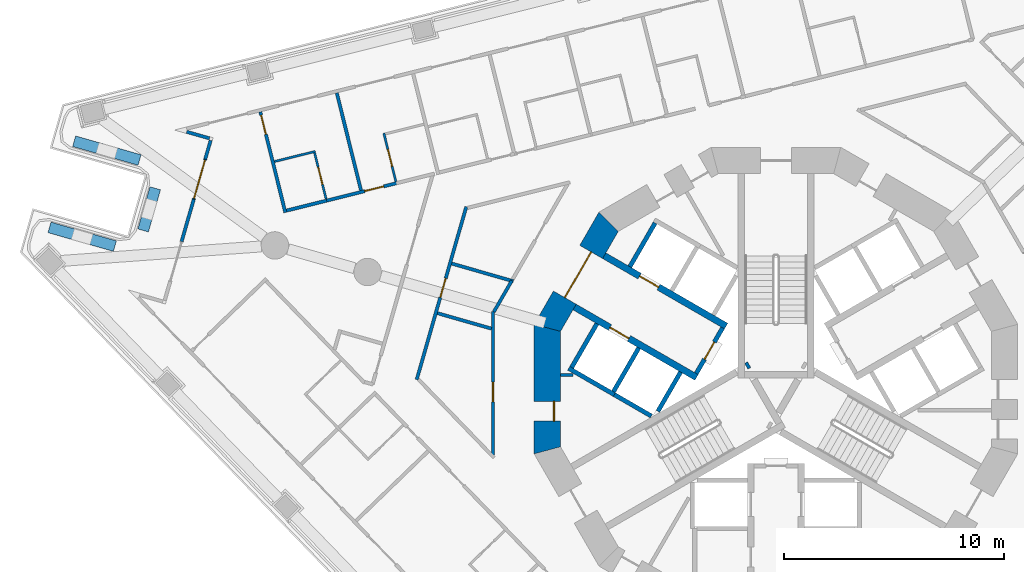
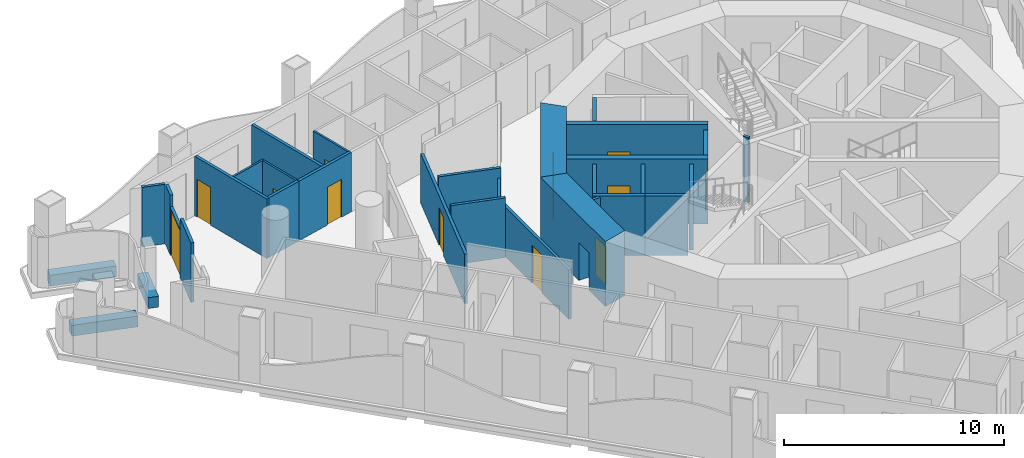
# One storey, part 7 of 20: 32 walls, 12 doors, 12 openings.
"""IFC4 building model written with IfcOpenShell, lengths in metres."""

from ifc_helpers import new_model, si_unit, direction, frame, frame_2d, origin, place, context, subcontext, project, spatial, polyline, rectangle, outline, extrude, material, layer, layer_set, type_object, element, fill, save


model = new_model("IFC4")

# Units and contexts
model_context = context("Model", 3, precision=1e-05, world=origin(), true_north=direction((0.0, 1.0)))
body_context = subcontext(model_context, "Body", "Model", "MODEL_VIEW")
ifc_project = project(units=[si_unit("LENGTHUNIT", "METRE"), si_unit("AREAUNIT", "SQUARE_METRE"), si_unit("VOLUMEUNIT", "CUBIC_METRE"), si_unit("PLANEANGLEUNIT", "RADIAN"), si_unit("MASSUNIT", "GRAM", prefix="KILO")], contexts=[model_context])

# Site, building, storey
site_placement = place(None, origin())
site = spatial("IfcSite", under=ifc_project, at=site_placement, CompositionType="ELEMENT")
building_placement = place(site_placement, origin())
building = spatial("IfcBuilding", under=site, at=building_placement, Name="Trine Commons Tower", CompositionType="ELEMENT")
storey_placement = place(building_placement, frame((0.0, 0.0, 112.5)))
storey = spatial("IfcBuildingStorey", under=building, at=storey_placement, Name="L28", CompositionType="ELEMENT", Elevation=112.5)

# Walls
ifc_material_1 = material(Name="Plasterboard partition on steel studs", Category="steel")
ifc_layer_1 = layer(ifc_material_1, 0.14990234375)
ifc_layer_set_1 = layer_set([ifc_layer_1], Name="Plasterboard partition on steel studs")
wall_type_1 = type_object("IfcWallType", Name="Core room partition 150 mm, EI 60", PredefinedType="PARTITIONING", material=ifc_layer_set_1)
wall_1_placement = place(storey_placement, frame((70.18798828125, 63.14208984375, 0.0), z_axis=(0.0, 0.0, 1.0), x_axis=(1.0, 0.0, 0.0)))
element("IfcWall", 1, at=wall_1_placement, inside=storey, type_object=wall_type_1, Name="Core room partition L28", PredefinedType="PARTITIONING", context=body_context, shape_type="SweptSolid", body=[
    extrude(rectangle(XDim=0.571044921875, YDim=0.14990234375, at=frame_2d((0.28564453125, 0.0))), origin(), (0.0, 0.0, 1.0), 3.300048828125),
])
ifc_material_2 = material(Name="Aluminium-framed insulated wall panel", Category="aluminium")
ifc_layer_2 = layer(ifc_material_2, 0.14990234375)
ifc_layer_set_2 = layer_set([ifc_layer_2], Name="Aluminium-framed insulated wall panel")
wall_type_2 = type_object("IfcWallType", Name="Glazed frame wall 150, EI 60", PredefinedType="SOLIDWALL", material=ifc_layer_set_2)
wall_2_placement = place(storey_placement, frame((52.931396484375, 69.221435546875, 0.0), z_axis=(0.0, 0.0, 1.0), x_axis=(0.275511032617, 0.961297909551, 0.0)))
element("IfcWall", 2, at=wall_2_placement, inside=storey, type_object=wall_type_2, Name="Glazed frame wall P1.3", PredefinedType="SOLIDWALL", context=body_context, shape_type="SweptSolid", body=[
    extrude(outline(polyline([(0.0, -0.074951171875), (2.0, -0.074951171875), (2.0, 0.074951171875), (0.0, 0.074951171875), (0.0, -0.074951171875)])), origin(), (0.0, 0.0, 1.0), 3.300048828125),
])

# Wall, opening, door
wall_3_placement = place(storey_placement, frame((53.482421875, 71.14404296875, 0.0), z_axis=(0.0, 0.0, 1.0), x_axis=(0.275739195228, 0.961232488119, 0.0)))
wall_3 = element("IfcWall", 3, at=wall_3_placement, inside=storey, type_object=wall_type_2, Name="Glazed frame wall P1.4", PredefinedType="SOLIDWALL", context=body_context, shape_type="SweptSolid", body=[
    extrude(outline(polyline([(0.0, -0.074951171875), (1.89990234375, -0.074951171875), (1.89990234375, 0.074951171875), (0.0, 0.074951171875), (0.0, -0.074951171875)])), origin(), (0.0, 0.0, 1.0), 2.64990234375),
])
opening_1_placement = place(wall_3_placement, frame((0.050048828125, 0.0, 0.0)))
opening_1 = element("IfcOpeningElement", 4, at=opening_1_placement, cuts=wall_3, Name="Opening BD-3P1-02", PredefinedType="OPENING", context=body_context, shape_type="SweptSolid", body=[
    extrude(rectangle(XDim=1.800048828125, YDim=2.60009765625, at=frame_2d((0.89990234375, 1.300048828125))), frame((0.0, 0.0849609375, 0.0), z_axis=(0.0, -1.0, 0.0), x_axis=(1.0, 0.0, 0.0)), (0.0, 0.0, 1.0), 0.169921875),
])
ifc_material_3 = material(Name="Anodised aluminium frame with double glazing", Category="aluminium")
door_type_1 = type_object("IfcDoorType", Name="Sliding loggia door 1800x2600", OperationType="SLIDING_TO_LEFT", PredefinedType="DOOR", material=ifc_material_3)
door_1_placement = place(opening_1_placement, origin())
door_1 = element("IfcDoor", 5, at=door_1_placement, inside=storey, type_object=door_type_1, Name="Loggia door P1 2", OperationType="SLIDING_TO_LEFT", OverallHeight=2.60009765625, OverallWidth=1.800048828125, PredefinedType="DOOR", context=body_context, shape_type="SweptSolid", body=[
    extrude(rectangle(XDim=1.800048828125, YDim=2.60009765625, at=frame_2d((0.89990234375, 1.300048828125))), frame((0.0, 0.02490234375, 0.0), z_axis=(0.0, -1.0, 0.0), x_axis=(1.0, 0.0, 0.0)), (0.0, 0.0, 1.0), 0.050048828125),
])
fill(opening_1, door_1)

# Walls
wall_4_placement = place(storey_placement, frame((54.00634765625, 72.970458984375, 0.0), z_axis=(0.0, 0.0, 1.0), x_axis=(0.275656175253, 0.961256299353, 0.0)))
element("IfcWall", 6, at=wall_4_placement, inside=storey, type_object=wall_type_2, Name="Glazed frame wall P1.5", PredefinedType="SOLIDWALL", context=body_context, shape_type="SweptSolid", body=[
    extrude(outline(polyline([(0.889892578125, 0.074951171875), (0.0, 0.074951171875), (0.0, -0.074951171875), (0.889892578125, -0.074951171875), (0.889892578125, 0.074951171875)])), origin(), (0.0, 0.0, 1.0), 3.300048828125),
])
wall_5_placement = place(storey_placement, frame((54.305908203125, 73.888427734375, 0.0), z_axis=(0.0, 0.0, 1.0), x_axis=(-0.961242628544, 0.275703843044, 0.0)))
element("IfcWall", 7, at=wall_5_placement, inside=storey, type_object=wall_type_2, Name="Glazed frame wall R3", PredefinedType="SOLIDWALL", context=body_context, shape_type="SweptSolid", body=[
    extrude(outline(polyline([(0.110107421875, 0.074951171875), (0.110107421875, -0.074951171875), (1.19580078125, -0.074951171875), (1.19580078125, 0.074951171875), (0.110107421875, 0.074951171875)])), origin(), (0.0, 0.0, 1.0), 3.300048828125),
])

# Wall, opening, door
ifc_material_4 = material(Name="Fire-rated gypsum shaft wall system")
ifc_layer_3 = layer(ifc_material_4, 0.199951171875)
ifc_layer_set_3 = layer_set([ifc_layer_3], Name="Fire-rated gypsum shaft wall system")
wall_type_3 = type_object("IfcWallType", Name="Lobby end wall 200 mm, EI 120", PredefinedType="PARTITIONING", material=ifc_layer_set_3)
wall_6_placement = place(storey_placement, frame((77.569091796875, 65.2890625, 0.0), z_axis=(0.0, 0.0, 1.0), x_axis=(-0.50012165622, -0.865955154139, 0.0)))
wall_6 = element("IfcWall", 8, at=wall_6_placement, inside=storey, type_object=wall_type_3, Name="Lobby end wall L28", PredefinedType="PARTITIONING", context=body_context, shape_type="SweptSolid", body=[
    extrude(rectangle(XDim=2.39990234375, YDim=0.199951171875, at=frame_2d((1.199951171875, 0.0))), origin(), (0.0, 0.0, 1.0), 3.300048828125),
])
opening_2_placement = place(wall_6_placement, frame((0.749755859375, 0.0, 0.0)))
opening_2 = element("IfcOpeningElement", 9, at=opening_2_placement, cuts=wall_6, Name="Opening K07.07", PredefinedType="OPENING", context=body_context, shape_type="SweptSolid", body=[
    extrude(rectangle(XDim=0.89990234375, YDim=2.10009765625, at=frame_2d((0.449951171875, 1.050048828125))), frame((0.0, 0.10986328125, 0.0), z_axis=(0.0, -1.0, 0.0), x_axis=(1.0, 0.0, 0.0)), (0.0, 0.0, 1.0), 0.219970703125),
])
ifc_material_5 = material(Name="Steel door leaf, fire-rated", Category="steel")
door_type_2 = type_object("IfcDoorType", Name="Riser access door, single leaf 900 x 2100, FD60", OperationType="SINGLE_SWING_LEFT", PredefinedType="DOOR", material=ifc_material_5)
door_2_placement = place(opening_2_placement, frame((0.89990234375, 0.0, 0.0), z_axis=(0.0, 0.0, 1.0), x_axis=(-1.0, 0.0, 0.0)))
door_2 = element("IfcDoor", 10, at=door_2_placement, inside=storey, type_object=door_type_2, Name="Riser door, Mechanical riser L28", OperationType="SINGLE_SWING_RIGHT", OverallHeight=2.10009765625, OverallWidth=0.89990234375, PredefinedType="DOOR", context=body_context, shape_type="SweptSolid", body=[
    extrude(rectangle(XDim=0.89990234375, YDim=2.10009765625, at=frame_2d((0.449951171875, 1.050048828125))), frame((0.0, 0.02490234375, 0.0), z_axis=(0.0, -1.0, 0.0), x_axis=(1.0, 0.0, 0.0)), (0.0, 0.0, 1.0), 0.050048828125),
])
fill(opening_2, door_2)

# Walls
ifc_material_6 = material(Name="Planter trough, precast concrete C40/50", Category="concrete")
ifc_layer_4 = layer(ifc_material_6, 0.5)
ifc_layer_set_4 = layer_set([ifc_layer_4], Name="Planter trough, precast concrete C40/50")
wall_type_4 = type_object("IfcWallType", Name="Planter trough 500x600", PredefinedType="PARAPET", material=ifc_layer_set_4)
wall_7_placement = place(storey_placement, frame((46.91064453125, 69.865966796875, 0.0), z_axis=(0.0, 0.0, 1.0), x_axis=(0.961261991794, -0.275636324044, 0.0)))
element("IfcWall", 11, at=wall_7_placement, inside=storey, type_object=wall_type_4, Name="Planter 1", PredefinedType="PARAPET", context=body_context, shape_type="SweptSolid", body=[
    extrude(rectangle(XDim=3.10009765625, YDim=0.5, at=frame_2d((1.550048828125, 0.0))), origin(), (0.0, 0.0, 1.0), 0.60009765625),
])
wall_8_placement = place(storey_placement, frame((51.177001953125, 69.724609375, 0.0), z_axis=(0.0, 0.0, 1.0), x_axis=(0.275623830648, 0.961265574115, 0.0)))
element("IfcWall", 12, at=wall_8_placement, inside=storey, type_object=wall_type_4, Name="Planter 2", PredefinedType="PARAPET", context=body_context, shape_type="SweptSolid", body=[
    extrude(rectangle(XDim=2.0, YDim=0.5, at=frame_2d((1.0, 0.0))), origin(), (0.0, 0.0, 1.0), 0.60009765625),
])
wall_9_placement = place(storey_placement, frame((51.01513671875, 72.93359375, 0.0), z_axis=(0.0, 0.0, 1.0), x_axis=(-0.961261991794, 0.275636324044, 0.0)))
element("IfcWall", 13, at=wall_9_placement, inside=storey, type_object=wall_type_4, Name="Planter 3", PredefinedType="PARAPET", context=body_context, shape_type="SweptSolid", body=[
    extrude(rectangle(XDim=3.10009765625, YDim=0.5, at=frame_2d((1.550048828125, 0.0))), origin(), (0.0, 0.0, 1.0), 0.60009765625),
])

# Wall, opening, door
ifc_material_7 = material(Name="Concrete C70/85", Category="concrete")
ifc_layer_5 = layer(ifc_material_7, 1.199951171875)
ifc_layer_set_5 = layer_set([ifc_layer_5], Name="Concrete C70/85")
wall_type_5 = type_object("IfcWallType", Name="RC shear wall 1200 mm, C70/85", PredefinedType="SHEAR", material=ifc_layer_set_5)
wall_10_placement = place(storey_placement, frame((72.45849609375, 70.260986328125, 0.0), z_axis=(0.0, 0.0, 1.0), x_axis=(-0.499979111662, -0.866037463336, 0.0)))
wall_10 = element("IfcWall", 14, at=wall_10_placement, inside=storey, type_object=wall_type_5, Name="Core wall CWC-06 L28", PredefinedType="SHEAR", context=body_context, shape_type="SweptSolid", body=[
    extrude(outline(polyline([(0.0, -0.60009765625), (5.901123046875, -0.60009765625), (5.57958984375, 0.60009765625), (0.321533203125, 0.60009765625), (0.0, -0.60009765625)])), origin(), (0.0, 0.0, 1.0), 3.60009765625),
])
opening_3_placement = place(wall_10_placement, frame((1.75048828125, 0.0, 0.0)))
opening_3 = element("IfcOpeningElement", 15, at=opening_3_placement, cuts=wall_10, Name="Opening K07.06", PredefinedType="OPENING", context=body_context, shape_type="SweptSolid", body=[
    extrude(rectangle(XDim=2.39990234375, YDim=2.10009765625, at=frame_2d((1.199951171875, 1.050048828125))), frame((0.0, 0.60986328125, 0.0), z_axis=(0.0, -1.0, 0.0), x_axis=(1.0, 0.0, 0.0)), (0.0, 0.0, 1.0), 1.219970703125),
])
ifc_material_8 = material(Name="Steel door leaves, fire-rated", Category="steel")
door_type_3 = type_object("IfcDoorType", Name="Lobby door, double leaf 2400 x 2100, FD60", OperationType="DOUBLE_DOOR_SINGLE_SWING", PredefinedType="DOOR", material=ifc_material_8)
door_3_placement = place(opening_3_placement, origin())
door_3 = element("IfcDoor", 16, at=door_3_placement, inside=storey, type_object=door_type_3, Name="Lobby door, Passenger lift lobby B L28", OperationType="DOUBLE_DOOR_SINGLE_SWING", OverallHeight=2.10009765625, OverallWidth=2.39990234375, PredefinedType="DOOR", context=body_context, shape_type="SweptSolid", body=[
    extrude(rectangle(XDim=2.39990234375, YDim=2.10009765625, at=frame_2d((1.199951171875, 1.050048828125))), frame((0.0, 0.02490234375, 0.0), z_axis=(0.0, -1.0, 0.0), x_axis=(1.0, 0.0, 0.0)), (0.0, 0.0, 1.0), 0.050048828125),
])
fill(opening_3, door_3)

wall_11_placement = place(storey_placement, frame((69.58837890625, 65.450439453125, 0.0), z_axis=(0.0, 0.0, 1.0), x_axis=(0.0, -1.0, 0.0)))
wall_11 = element("IfcWall", 17, at=wall_11_placement, inside=storey, type_object=wall_type_5, Name="Core wall CWC-07 L28", PredefinedType="SHEAR", context=body_context, shape_type="SweptSolid", body=[
    extrude(outline(polyline([(0.0, -0.60009765625), (5.90087890625, -0.60009765625), (5.57958984375, 0.60009765625), (0.321533203125, 0.60009765625), (0.0, -0.60009765625)])), origin(), (0.0, 0.0, 1.0), 3.60009765625),
])
opening_4_placement = place(wall_11_placement, frame((3.508544921875, 0.0, 0.0)))
opening_4 = element("IfcOpeningElement", 18, at=opening_4_placement, cuts=wall_11, Name="Opening K07.14", PredefinedType="OPENING", context=body_context, shape_type="SweptSolid", body=[
    extrude(rectangle(XDim=0.89990234375, YDim=2.10009765625, at=frame_2d((0.449951171875, 1.050048828125))), frame((0.0, 0.60986328125, 0.0), z_axis=(0.0, -1.0, 0.0), x_axis=(1.0, 0.0, 0.0)), (0.0, 0.0, 1.0), 1.219970703125),
])
door_type_4 = type_object("IfcDoorType", Name="Core room door, single leaf 900 x 2100, FD30S", OperationType="SINGLE_SWING_LEFT", PredefinedType="DOOR", material=ifc_material_5)
door_4_placement = place(opening_4_placement, origin())
door_4 = element("IfcDoor", 19, at=door_4_placement, inside=storey, type_object=door_type_4, Name="Door to Print room L28", OperationType="SINGLE_SWING_RIGHT", OverallHeight=2.10009765625, OverallWidth=0.89990234375, PredefinedType="DOOR", context=body_context, shape_type="SweptSolid", body=[
    extrude(rectangle(XDim=0.89990234375, YDim=2.10009765625, at=frame_2d((0.449951171875, 1.050048828125))), frame((0.0, 0.3251953125, 0.0), z_axis=(0.0, -1.0, 0.0), x_axis=(1.0, 0.0, 0.0)), (0.0, 0.0, 1.0), 0.050048828125),
])
fill(opening_4, door_4)

ifc_layer_6 = layer(ifc_material_7, 0.300048828125)
ifc_layer_set_6 = layer_set([ifc_layer_6], Name="Concrete C70/85")
wall_type_6 = type_object("IfcWallType", Name="RC shear wall 300 mm, C70/85", PredefinedType="SHEAR", material=ifc_layer_set_6)
wall_12_placement = place(storey_placement, frame((76.381103515625, 63.031005859375, 0.0), z_axis=(0.0, 0.0, 1.0), x_axis=(-0.866032150378, 0.499988314375, 0.0)))
wall_12 = element("IfcWall", 20, at=wall_12_placement, inside=storey, type_object=wall_type_6, Name="Core cross wall SWA-01 L28", PredefinedType="SHEAR", context=body_context, shape_type="SweptSolid", body=[
    extrude(rectangle(XDim=6.412353515625, YDim=0.300048828125, at=frame_2d((3.2060546875, 0.0))), origin(), (0.0, 0.0, 1.0), 3.60009765625),
])
opening_5_placement = place(wall_12_placement, frame((3.55029296875, 0.0, 0.0)))
opening_5 = element("IfcOpeningElement", 21, at=opening_5_placement, cuts=wall_12, Name="Opening LD3", PredefinedType="OPENING", context=body_context, shape_type="SweptSolid", body=[
    extrude(rectangle(XDim=1.0, YDim=2.10009765625, at=frame_2d((0.5, 1.050048828125))), frame((0.0, 0.159912109375, 0.0), z_axis=(0.0, -1.0, 0.0), x_axis=(1.0, 0.0, 0.0)), (0.0, 0.0, 1.0), 0.320068359375),
])
ifc_material_9 = material(Name="Stainless steel sliding door leaves", Category="steel")
door_type_5 = type_object("IfcDoorType", Name="Lift landing door, centre-opening sliding 1000 x 2100, FD90", OperationType="DOUBLE_DOOR_SLIDING", PredefinedType="DOOR", material=ifc_material_9)
door_5_placement = place(opening_5_placement, origin())
door_5 = element("IfcDoor", 22, at=door_5_placement, inside=storey, type_object=door_type_5, Name="Lift landing door LR3 L28", OperationType="DOUBLE_DOOR_SLIDING", OverallHeight=2.10009765625, OverallWidth=1.0, PredefinedType="DOOR", context=body_context, shape_type="SweptSolid", body=[
    extrude(rectangle(XDim=1.0, YDim=2.10009765625, at=frame_2d((0.5, 1.050048828125))), frame((0.0, 0.02490234375, 0.0), z_axis=(0.0, -1.0, 0.0), x_axis=(1.0, 0.0, 0.0)), (0.0, 0.0, 1.0), 0.050048828125),
])
fill(opening_5, door_5)

wall_13_placement = place(storey_placement, frame((77.73095703125, 65.368896484375, 0.0), z_axis=(0.0, 0.0, 1.0), x_axis=(-0.866022631842, 0.500004801114, 0.0)))
wall_13 = element("IfcWall", 23, at=wall_13_placement, inside=storey, type_object=wall_type_6, Name="Core cross wall SWA-02 L28", PredefinedType="SHEAR", context=body_context, shape_type="SweptSolid", body=[
    extrude(rectangle(XDim=6.412109375, YDim=0.300048828125, at=frame_2d((3.2060546875, 0.0))), origin(), (0.0, 0.0, 1.0), 3.60009765625),
])
opening_6_placement = place(wall_13_placement, frame((3.55029296875, 0.0, 0.0)))
opening_6 = element("IfcOpeningElement", 24, at=opening_6_placement, cuts=wall_13, Name="Opening LD4", PredefinedType="OPENING", context=body_context, shape_type="SweptSolid", body=[
    extrude(rectangle(XDim=1.0, YDim=2.10009765625, at=frame_2d((0.5, 1.050048828125))), frame((0.0, 0.159912109375, 0.0), z_axis=(0.0, -1.0, 0.0), x_axis=(1.0, 0.0, 0.0)), (0.0, 0.0, 1.0), 0.320068359375),
])
door_6_placement = place(opening_6_placement, origin())
door_6 = element("IfcDoor", 25, at=door_6_placement, inside=storey, type_object=door_type_5, Name="Lift landing door LR4 L28", OperationType="DOUBLE_DOOR_SLIDING", OverallHeight=2.10009765625, OverallWidth=1.0, PredefinedType="DOOR", context=body_context, shape_type="SweptSolid", body=[
    extrude(rectangle(XDim=1.0, YDim=2.10009765625, at=frame_2d((0.5, 1.050048828125))), frame((0.0, 0.02490234375, 0.0), z_axis=(0.0, -1.0, 0.0), x_axis=(1.0, 0.0, 0.0)), (0.0, 0.0, 1.0), 0.050048828125),
])
fill(opening_6, door_6)

# Walls
wall_14_placement = place(storey_placement, frame((78.779052734375, 63.614013671875, 0.0), z_axis=(0.0, 0.0, 1.0), x_axis=(-0.867737973955, -0.497021939713, 0.0)))
element("IfcWall", 26, at=wall_14_placement, inside=storey, type_object=wall_type_6, Name="Core cross wall SWA-09 L28", PredefinedType="SHEAR", context=body_context, shape_type="SweptSolid", body=[
    extrude(rectangle(XDim=0.14892578125, YDim=0.300048828125, at=frame_2d((0.074462890625, 0.0))), origin(), (0.0, 0.0, 1.0), 3.60009765625),
])
ifc_layer_7 = layer(ifc_material_4, 0.199951171875)
ifc_layer_set_7 = layer_set([ifc_layer_7], Name="Fire-rated gypsum shaft wall system")
wall_type_7 = type_object("IfcWallType", Name="Shaft wall 200 mm, EI 120", PredefinedType="PARTITIONING", material=ifc_layer_set_7)
wall_15_placement = place(storey_placement, frame((71.844970703125, 65.47607421875, 0.0), z_axis=(0.0, 0.0, 1.0), x_axis=(-0.500136062276, -0.86594683394, 0.0)))
element("IfcWall", 27, at=wall_15_placement, inside=storey, type_object=wall_type_7, Name="Shaft wall L28", PredefinedType="PARTITIONING", context=body_context, shape_type="SweptSolid", body=[
    extrude(rectangle(XDim=2.299072265625, YDim=0.199951171875, at=frame_2d((1.1494140625, 0.0))), origin(), (0.0, 0.0, 1.0), 3.300048828125),
])
wall_16_placement = place(storey_placement, frame((72.637939453125, 62.248046875, 0.0), z_axis=(0.0, 0.0, 1.0), x_axis=(-0.866177122335, 0.499737123639, 0.0)))
element("IfcWall", 28, at=wall_16_placement, inside=storey, type_object=wall_type_7, Name="Shaft wall L28", PredefinedType="PARTITIONING", context=body_context, shape_type="SweptSolid", body=[
    extrude(rectangle(XDim=2.401123046875, YDim=0.199951171875, at=frame_2d((1.20068359375, 0.0))), origin(), (0.0, 0.0, 1.0), 3.300048828125),
])
wall_17_placement = place(storey_placement, frame((73.344970703125, 68.073974609375, 0.0), z_axis=(0.0, 0.0, 1.0), x_axis=(0.500215680983, 0.865900844496, 0.0)))
element("IfcWall", 29, at=wall_17_placement, inside=storey, type_object=wall_type_7, Name="Shaft wall L28", PredefinedType="PARTITIONING", context=body_context, shape_type="SweptSolid", body=[
    extrude(rectangle(XDim=2.29931640625, YDim=0.199951171875, at=frame_2d((1.149658203125, 0.0))), origin(), (0.0, 0.0, 1.0), 3.300048828125),
])
wall_18_placement = place(storey_placement, frame((73.7509765625, 64.3759765625, 0.0), z_axis=(0.0, 0.0, 1.0), x_axis=(-0.500136062276, -0.86594683394, 0.0)))
element("IfcWall", 30, at=wall_18_placement, inside=storey, type_object=wall_type_7, Name="Shaft wall L28", PredefinedType="PARTITIONING", context=body_context, shape_type="SweptSolid", body=[
    extrude(rectangle(XDim=2.299072265625, YDim=0.199951171875, at=frame_2d((1.1494140625, 0.0))), origin(), (0.0, 0.0, 1.0), 3.300048828125),
])
wall_19_placement = place(storey_placement, frame((74.324951171875, 61.27294921875, 0.0), z_axis=(0.0, 0.0, 1.0), x_axis=(-0.865780634835, 0.500423712812, 0.0)))
element("IfcWall", 31, at=wall_19_placement, inside=storey, type_object=wall_type_7, Name="Shaft wall L28", PredefinedType="PARTITIONING", context=body_context, shape_type="SweptSolid", body=[
    extrude(rectangle(XDim=1.948486328125, YDim=0.199951171875, at=frame_2d((0.97412109375, 0.0))), origin(), (0.0, 0.0, 1.0), 3.300048828125),
])
wall_20_placement = place(storey_placement, frame((75.656005859375, 63.27587890625, 0.0), z_axis=(0.0, 0.0, 1.0), x_axis=(-0.500271688072, -0.86586848777, 0.0)))
element("IfcWall", 32, at=wall_20_placement, inside=storey, type_object=wall_type_7, Name="Shaft wall L28", PredefinedType="PARTITIONING", context=body_context, shape_type="SweptSolid", body=[
    extrude(rectangle(XDim=2.064697265625, YDim=0.199951171875, at=frame_2d((1.0322265625, 0.0))), origin(), (0.0, 0.0, 1.0), 3.300048828125),
])

# Wall, opening, door
ifc_material_10 = material(Name="Gypsum plasterboard on steel stud", Category="steel")
ifc_layer_8 = layer(ifc_material_10, 0.14990234375)
ifc_layer_set_8 = layer_set([ifc_layer_8], Name="Gypsum plasterboard on steel stud")
wall_type_8 = type_object("IfcWallType", Name="Unit and corridor wall 150 mm, EI 60", PredefinedType="PARTITIONING", material=ifc_layer_set_8)
wall_21_placement = place(storey_placement, frame((56.513671875, 75.122314453125, 0.0), z_axis=(0.0, 0.0, 1.0), x_axis=(0.24185448203, -0.970312531879, 0.0)))
wall_21 = element("IfcWall", 33, at=wall_21_placement, inside=storey, type_object=wall_type_8, Name="Partition 002", PredefinedType="PARTITIONING", context=body_context, shape_type="SweptSolid", body=[
    extrude(rectangle(XDim=4.72314453125, YDim=0.14990234375, at=frame_2d((2.361572265625, 0.0))), origin(), (0.0, 0.0, 1.0), 3.300048828125),
])
opening_7_placement = place(wall_21_placement, frame((0.14990234375, 0.0, 0.0)))
opening_7 = element("IfcOpeningElement", 34, at=opening_7_placement, cuts=wall_21, Name="Opening D-3C07", PredefinedType="OPENING", context=body_context, shape_type="SweptSolid", body=[
    extrude(rectangle(XDim=0.89990234375, YDim=2.10009765625, at=frame_2d((0.449951171875, 1.050048828125))), frame((0.0, 0.0849609375, 0.0), z_axis=(0.0, -1.0, 0.0), x_axis=(1.0, 0.0, 0.0)), (0.0, 0.0, 1.0), 0.169921875),
])
ifc_material_11 = material(Name="Timber fire door set", Category="wood")
door_type_6 = type_object("IfcDoorType", Name="Bedroom door 900 x 2100, FD30S", OperationType="NOTDEFINED", PredefinedType="DOOR", material=ifc_material_11)
door_7_placement = place(opening_7_placement, origin())
door_7 = element("IfcDoor", 35, at=door_7_placement, inside=storey, type_object=door_type_6, Name="Door D-3C07", OperationType="SINGLE_SWING_LEFT", OverallHeight=2.10009765625, OverallWidth=0.89990234375, PredefinedType="DOOR", context=body_context, shape_type="SweptSolid", body=[
    extrude(rectangle(XDim=0.89990234375, YDim=2.10009765625, at=frame_2d((0.449951171875, 1.050048828125))), frame((0.0, 0.02490234375, 0.0), z_axis=(0.0, -1.0, 0.0), x_axis=(1.0, 0.0, 0.0)), (0.0, 0.0, 1.0), 0.050048828125),
])
fill(opening_7, door_7)

# Wall
wall_22_placement = place(storey_placement, frame((57.710693359375, 70.630126953125, 0.0), z_axis=(0.0, 0.0, 1.0), x_axis=(0.970264657276, 0.242046472483, 0.0)))
element("IfcWall", 36, at=wall_22_placement, inside=storey, type_object=wall_type_8, Name="Partition 005", PredefinedType="PARTITIONING", context=body_context, shape_type="SweptSolid", body=[
    extrude(rectangle(XDim=1.879150390625, YDim=0.14990234375, at=frame_2d((0.939453125, 0.0))), origin(), (0.0, 0.0, 1.0), 3.300048828125),
])

# Wall, opening, door
wall_23_placement = place(storey_placement, frame((59.52587890625, 71.0830078125, 0.0), z_axis=(0.0, 0.0, 1.0), x_axis=(0.970335998333, 0.24176031589, 0.0)))
wall_23 = element("IfcWall", 37, at=wall_23_placement, inside=storey, type_object=wall_type_8, Name="Partition 010", PredefinedType="PARTITIONING", context=body_context, shape_type="SweptSolid", body=[
    extrude(rectangle(XDim=3.33447265625, YDim=0.14990234375, at=frame_2d((1.667236328125, 0.0))), origin(), (0.0, 0.0, 1.0), 3.300048828125),
])
opening_8_placement = place(wall_23_placement, frame((1.792724609375, 0.0, 0.0)))
opening_8 = element("IfcOpeningElement", 38, at=opening_8_placement, cuts=wall_23, Name="Opening D-3C08", PredefinedType="OPENING", context=body_context, shape_type="SweptSolid", body=[
    extrude(rectangle(XDim=0.89990234375, YDim=2.10009765625, at=frame_2d((0.449951171875, 1.050048828125))), frame((0.0, 0.0849609375, 0.0), z_axis=(0.0, -1.0, 0.0), x_axis=(1.0, 0.0, 0.0)), (0.0, 0.0, 1.0), 0.169921875),
])
door_8_placement = place(opening_8_placement, origin())
door_8 = element("IfcDoor", 39, at=door_8_placement, inside=storey, type_object=door_type_6, Name="Door D-3C08", OperationType="SINGLE_SWING_RIGHT", OverallHeight=2.10009765625, OverallWidth=0.89990234375, PredefinedType="DOOR", context=body_context, shape_type="SweptSolid", body=[
    extrude(rectangle(XDim=0.89990234375, YDim=2.10009765625, at=frame_2d((0.449951171875, 1.050048828125))), frame((0.0, 0.02490234375, 0.0), z_axis=(0.0, -1.0, 0.0), x_axis=(1.0, 0.0, 0.0)), (0.0, 0.0, 1.0), 0.050048828125),
])
fill(opening_8, door_8)

# Wall
wall_24_placement = place(storey_placement, frame((59.99560546875, 75.990234375, 0.0), z_axis=(0.0, 0.0, 1.0), x_axis=(0.24188240248, -0.970305572163, 0.0)))
element("IfcWall", 40, at=wall_24_placement, inside=storey, type_object=wall_type_8, Name="Partition 012", PredefinedType="PARTITIONING", context=body_context, shape_type="SweptSolid", body=[
    extrude(rectangle(XDim=4.5732421875, YDim=0.14990234375, at=frame_2d((2.28662109375, 0.0))), origin(), (0.0, 0.0, 1.0), 3.300048828125),
])

# Wall, opening, door
wall_25_placement = place(storey_placement, frame((63.63720703125, 62.930908203125, 0.0), z_axis=(0.0, 0.0, 1.0), x_axis=(0.275598829518, 0.961272742341, 0.0)))
wall_25 = element("IfcWall", 41, at=wall_25_placement, inside=storey, type_object=wall_type_8, Name="Partition 023", PredefinedType="PARTITIONING", context=body_context, shape_type="SweptSolid", body=[
    extrude(rectangle(XDim=8.19140625, YDim=0.14990234375, at=frame_2d((4.095703125, 0.0))), origin(), (0.0, 0.0, 1.0), 2.75),
])
opening_9_placement = place(wall_25_placement, frame((3.89599609375, 0.0, 0.0)))
opening_9 = element("IfcOpeningElement", 42, at=opening_9_placement, cuts=wall_25, Name="Opening D-3C40", PredefinedType="OPENING", context=body_context, shape_type="SweptSolid", body=[
    extrude(rectangle(XDim=0.89990234375, YDim=2.10009765625, at=frame_2d((0.449951171875, 1.050048828125))), frame((0.0, 0.0849609375, 0.0), z_axis=(0.0, -1.0, 0.0), x_axis=(1.0, 0.0, 0.0)), (0.0, 0.0, 1.0), 0.169921875),
])
door_type_7 = type_object("IfcDoorType", Name="Service door 900 x 2100, FD30S", OperationType="NOTDEFINED", PredefinedType="DOOR", material=ifc_material_11)
door_9_placement = place(opening_9_placement, frame((0.89990234375, 0.0, 0.0), z_axis=(0.0, 0.0, 1.0), x_axis=(-1.0, 0.0, 0.0)))
door_9 = element("IfcDoor", 43, at=door_9_placement, inside=storey, type_object=door_type_7, Name="Door D-3C40", OperationType="SINGLE_SWING_LEFT", OverallHeight=2.10009765625, OverallWidth=0.89990234375, PredefinedType="DOOR", context=body_context, shape_type="SweptSolid", body=[
    extrude(rectangle(XDim=0.89990234375, YDim=2.10009765625, at=frame_2d((0.449951171875, 1.050048828125))), frame((0.0, 0.02490234375, 0.0), z_axis=(0.0, -1.0, 0.0), x_axis=(1.0, 0.0, 0.0)), (0.0, 0.0, 1.0), 0.050048828125),
])
fill(opening_9, door_9)

# Walls
wall_26_placement = place(storey_placement, frame((64.5830078125, 65.958251953125, 0.0), z_axis=(0.0, 0.0, 1.0), x_axis=(0.961285789876, -0.275553316407, 0.0)))
element("IfcWall", 44, at=wall_26_placement, inside=storey, type_object=wall_type_8, Name="Partition 027", PredefinedType="PARTITIONING", context=body_context, shape_type="SweptSolid", body=[
    extrude(rectangle(XDim=2.556884765625, YDim=0.14990234375, at=frame_2d((1.2783203125, 0.0))), origin(), (0.0, 0.0, 1.0), 3.300048828125),
])
wall_27_placement = place(storey_placement, frame((65.231201171875, 68.21728515625, 0.0), z_axis=(0.0, 0.0, 1.0), x_axis=(0.961306086513, -0.275482500411, 0.0)))
element("IfcWall", 45, at=wall_27_placement, inside=storey, type_object=wall_type_8, Name="Partition 029", PredefinedType="PARTITIONING", context=body_context, shape_type="SweptSolid", body=[
    extrude(rectangle(XDim=2.921875, YDim=0.14990234375, at=frame_2d((1.4609375, 0.0))), origin(), (0.0, 0.0, 1.0), 3.300048828125),
])

# Wall, opening, door
wall_28_placement = place(storey_placement, frame((67.113037109375, 59.49609375, 0.0), z_axis=(0.0, 0.0, 1.0), x_axis=(0.0, 1.0, 0.0)))
wall_28 = element("IfcWall", 46, at=wall_28_placement, inside=storey, type_object=wall_type_8, Name="Partition 037", PredefinedType="PARTITIONING", context=body_context, shape_type="SweptSolid", body=[
    extrude(rectangle(XDim=6.531982421875, YDim=0.14990234375, at=frame_2d((3.26611328125, 0.0))), origin(), (0.0, 0.0, 1.0), 2.75),
])
opening_10_placement = place(wall_28_placement, frame((2.41845703125, 0.0, 0.0)))
opening_10 = element("IfcOpeningElement", 47, at=opening_10_placement, cuts=wall_28, Name="Opening D-3C34", PredefinedType="OPENING", context=body_context, shape_type="SweptSolid", body=[
    extrude(rectangle(XDim=0.89990234375, YDim=2.10009765625, at=frame_2d((0.449951171875, 1.050048828125))), frame((0.0, 0.0849609375, 0.0), z_axis=(0.0, -1.0, 0.0), x_axis=(1.0, 0.0, 0.0)), (0.0, 0.0, 1.0), 0.169921875),
])
door_10_placement = place(opening_10_placement, origin())
door_10 = element("IfcDoor", 48, at=door_10_placement, inside=storey, type_object=door_type_7, Name="Door D-3C34", OperationType="SINGLE_SWING_LEFT", OverallHeight=2.10009765625, OverallWidth=0.89990234375, PredefinedType="DOOR", context=body_context, shape_type="SweptSolid", body=[
    extrude(rectangle(XDim=0.89990234375, YDim=2.10009765625, at=frame_2d((0.449951171875, 1.050048828125))), frame((0.0, 0.02490234375, 0.0), z_axis=(0.0, -1.0, 0.0), x_axis=(1.0, 0.0, 0.0)), (0.0, 0.0, 1.0), 0.050048828125),
])
fill(opening_10, door_10)

# Walls
wall_29_placement = place(storey_placement, frame((67.150390625, 66.01806640625, 0.0), z_axis=(0.0, 0.0, 1.0), x_axis=(0.49971385212, 0.866190548321, 0.0)))
element("IfcWall", 49, at=wall_29_placement, inside=storey, type_object=wall_type_8, Name="Partition 038", PredefinedType="PARTITIONING", context=body_context, shape_type="SweptSolid", body=[
    extrude(rectangle(XDim=1.63818359375, YDim=0.14990234375, at=frame_2d((0.819091796875, 0.0))), origin(), (0.0, 0.0, 1.0), 2.75),
])
ifc_layer_9 = layer(ifc_material_10, 0.10009765625)
ifc_layer_set_9 = layer_set([ifc_layer_9], Name="Gypsum plasterboard on steel stud")
wall_type_9 = type_object("IfcWallType", Name="Unit partition 100 mm, no rating", PredefinedType="PARTITIONING", material=ifc_layer_set_9)
wall_30_placement = place(storey_placement, frame((57.15478515625, 72.8623046875, 0.0), z_axis=(0.0, 0.0, 1.0), x_axis=(0.970276645771, 0.241998410475, 0.0)))
element("IfcWall", 50, at=wall_30_placement, inside=storey, type_object=wall_type_9, Name="Partition 004", PredefinedType="PARTITIONING", context=body_context, shape_type="SweptSolid", body=[
    extrude(rectangle(XDim=1.9248046875, YDim=0.10009765625, at=frame_2d((0.96240234375, 0.0))), origin(), (0.0, 0.0, 1.0), 3.300048828125),
])

# Wall, opening, door
wall_31_placement = place(storey_placement, frame((58.986083984375, 73.267578125, 0.0), z_axis=(0.0, 0.0, 1.0), x_axis=(0.241743332693, -0.970340229558, 0.0)))
wall_31 = element("IfcWall", 51, at=wall_31_placement, inside=storey, type_object=wall_type_9, Name="Partition 009", PredefinedType="PARTITIONING", context=body_context, shape_type="SweptSolid", body=[
    extrude(rectangle(XDim=2.17529296875, YDim=0.10009765625, at=frame_2d((1.087646484375, 0.0))), origin(), (0.0, 0.0, 1.0), 3.300048828125),
])
opening_11_placement = place(wall_31_placement, frame((0.6875, 0.0, 0.0)))
opening_11 = element("IfcOpeningElement", 52, at=opening_11_placement, cuts=wall_31, Name="Opening D-3C43", PredefinedType="OPENING", context=body_context, shape_type="SweptSolid", body=[
    extrude(rectangle(XDim=0.800048828125, YDim=2.10009765625, at=frame_2d((0.39990234375, 1.050048828125))), frame((0.0, 0.06005859375, 0.0), z_axis=(0.0, -1.0, 0.0), x_axis=(1.0, 0.0, 0.0)), (0.0, 0.0, 1.0), 0.1201171875),
])
ifc_material_12 = material(Name="Painted timber", Category="wood")
door_type_8 = type_object("IfcDoorType", Name="Internal door 800 x 2100, NOT RATED", OperationType="NOTDEFINED", PredefinedType="DOOR", material=ifc_material_12)
door_11_placement = place(opening_11_placement, origin())
door_11 = element("IfcDoor", 53, at=door_11_placement, inside=storey, type_object=door_type_8, Name="Door D-3C43", OperationType="SINGLE_SWING_RIGHT", OverallHeight=2.10009765625, OverallWidth=0.800048828125, PredefinedType="DOOR", context=body_context, shape_type="SweptSolid", body=[
    extrude(rectangle(XDim=0.800048828125, YDim=2.10009765625, at=frame_2d((0.39990234375, 1.050048828125))), frame((0.0, 0.02490234375, 0.0), z_axis=(0.0, -1.0, 0.0), x_axis=(1.0, 0.0, 0.0)), (0.0, 0.0, 1.0), 0.050048828125),
])
fill(opening_11, door_11)

wall_32_placement = place(storey_placement, frame((62.140869140625, 74.156494140625, 0.0), z_axis=(0.0, 0.0, 1.0), x_axis=(0.241853593672, -0.970312753306, 0.0)))
wall_32 = element("IfcWall", 54, at=wall_32_placement, inside=storey, type_object=wall_type_9, Name="Partition 019", PredefinedType="PARTITIONING", context=body_context, shape_type="SweptSolid", body=[
    extrude(rectangle(XDim=2.2744140625, YDim=0.10009765625, at=frame_2d((1.13720703125, 0.0))), origin(), (0.0, 0.0, 1.0), 3.300048828125),
])
opening_12_placement = place(wall_32_placement, frame((0.76220703125, 0.0, 0.0)))
opening_12 = element("IfcOpeningElement", 55, at=opening_12_placement, cuts=wall_32, Name="Opening D-3C44", PredefinedType="OPENING", context=body_context, shape_type="SweptSolid", body=[
    extrude(rectangle(XDim=0.800048828125, YDim=2.10009765625, at=frame_2d((0.39990234375, 1.050048828125))), frame((0.0, 0.06005859375, 0.0), z_axis=(0.0, -1.0, 0.0), x_axis=(1.0, 0.0, 0.0)), (0.0, 0.0, 1.0), 0.1201171875),
])
door_12_placement = place(opening_12_placement, frame((0.800048828125, 0.0, 0.0), z_axis=(0.0, 0.0, 1.0), x_axis=(-1.0, 0.0, 0.0)))
door_12 = element("IfcDoor", 56, at=door_12_placement, inside=storey, type_object=door_type_8, Name="Door D-3C44", OperationType="SINGLE_SWING_LEFT", OverallHeight=2.10009765625, OverallWidth=0.800048828125, PredefinedType="DOOR", context=body_context, shape_type="SweptSolid", body=[
    extrude(rectangle(XDim=0.800048828125, YDim=2.10009765625, at=frame_2d((0.39990234375, 1.050048828125))), frame((0.0, 0.02490234375, 0.0), z_axis=(0.0, -1.0, 0.0), x_axis=(1.0, 0.0, 0.0)), (0.0, 0.0, 1.0), 0.050048828125),
])
fill(opening_12, door_12)

save(model, "model.ifc")
